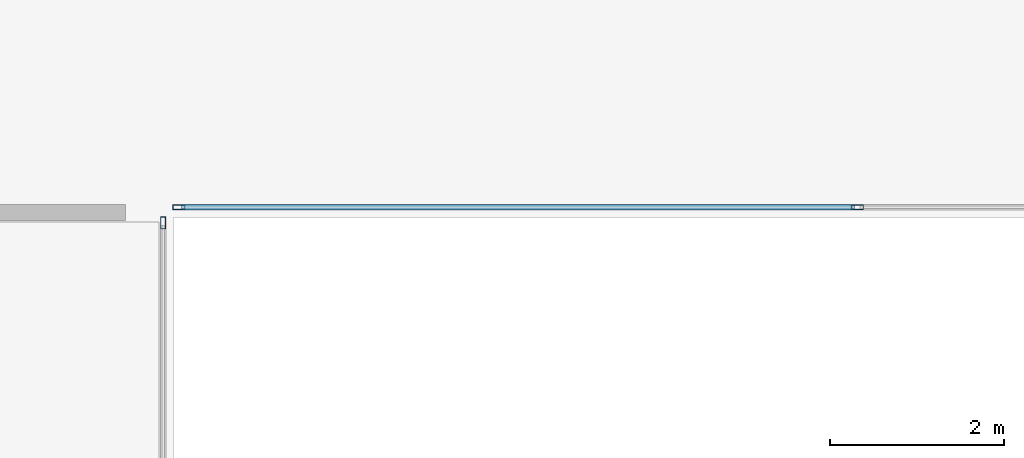
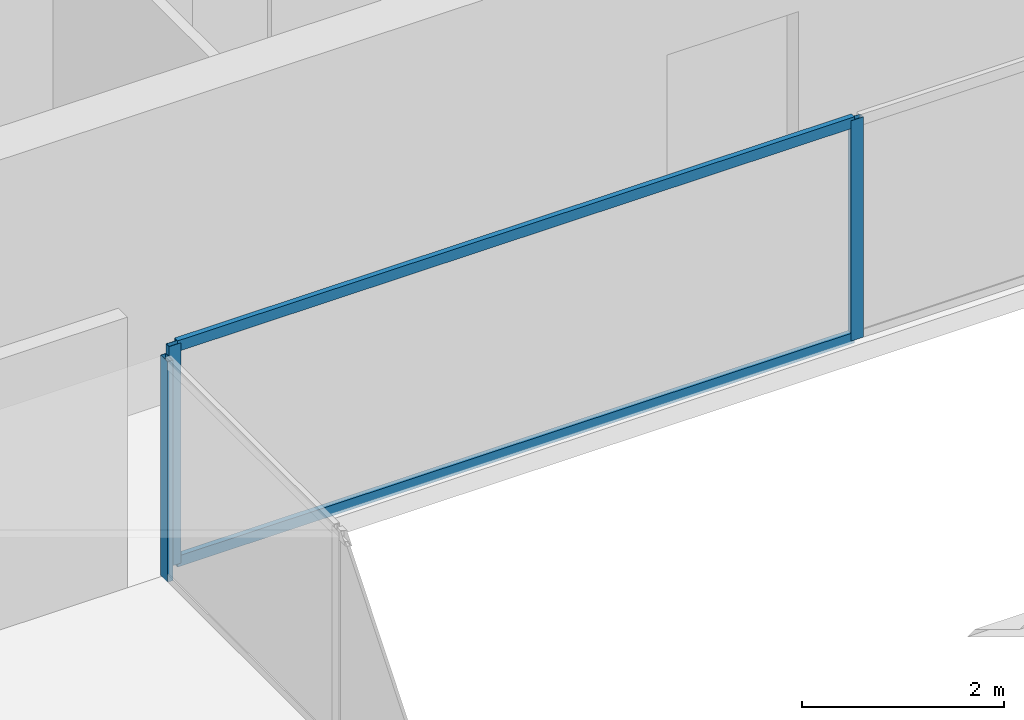
# One storey, part 12 of 32: 5 members, 2 elements without a shape of their own.
"""IFC4 building model written with IfcOpenShell, lengths in metres."""

from ifc_helpers import new_model, si_unit, direction, frame, origin, origin_2d, place, context, subcontext, project, spatial, hollow_rectangle, extrude, source, transform, mapped, material, layer, layer_set, material_profile, profile_set, type_object, element, aggregate, save


model = new_model("IFC4")

# Units and contexts
model_context = context("Model", 3, precision=1e-05, world=origin(), true_north=direction((0.0, 1.0)))
body_context = subcontext(model_context, "Body", "Model", "MODEL_VIEW")
ifc_project = project(units=[si_unit("LENGTHUNIT", "METRE"), si_unit("AREAUNIT", "SQUARE_METRE"), si_unit("VOLUMEUNIT", "CUBIC_METRE"), si_unit("PLANEANGLEUNIT", "RADIAN"), si_unit("MASSUNIT", "GRAM", prefix="KILO")], contexts=[model_context])

# Site, building, storey
site_placement = place(None, origin())
site = spatial("IfcSite", under=ifc_project, at=site_placement, CompositionType="ELEMENT")
building_placement = place(site_placement, origin())
building = spatial("IfcBuilding", under=site, at=building_placement, Name="Sumidabori Civic Tower", CompositionType="ELEMENT")
storey_placement = place(building_placement, frame((0.0, 0.0, 225.199951171875)))
storey = spatial("IfcBuildingStorey", under=building, at=storey_placement, Name="L58", CompositionType="ELEMENT", Elevation=225.199951171875)

# Curtain wall, members
ifc_material = material(Name="Anodised Bronze Aluminium AW-6063-T6", Category="aluminium")
ifc_layer = layer(ifc_material, 0.179931640625, Name="Anodised Bronze Aluminium AW-6063-T6")
ifc_layer_set = layer_set([ifc_layer], Name="Anodised Bronze Aluminium AW-6063-T6")
curtain_wall_type = type_object("IfcCurtainWallType", Name="CW-SYS-4", PredefinedType="NOTDEFINED", material=ifc_layer_set)
curtain_wall_1_placement = place(storey_placement, origin())
curtain_wall_1 = element("IfcCurtainWall", 1, at=curtain_wall_1_placement, inside=storey, type_object=curtain_wall_type, Name="Curtain Wall CW:L58:R05", PredefinedType="NOTDEFINED")
ifc_material_profile_1 = material_profile(ifc_material, hollow_rectangle(XDim=0.06005859375, YDim=0.1298828125, WallThickness=0.0048828125, at=origin_2d()), Name="ALU TRANSOM 130x60")
ifc_profile_set_1 = profile_set([ifc_material_profile_1], Name="Anodised Bronze Aluminium AW-6063-T6")
member_type_1 = type_object("IfcMemberType", Name="CW-TRN-130", PredefinedType="USERDEFINED", material=ifc_profile_set_1)
shared_shape_1 = source(origin(), body_context, "Body", "SweptSolid", [
    extrude(hollow_rectangle(XDim=0.06005859375, YDim=0.1298828125, WallThickness=0.0048828125, at=origin_2d()), origin(), (0.0, 0.0, 1.0), 7.72998046875),
])
member_1_placement = place(storey_placement, frame((-7.760009765625, 7.52001953125, 0.030029296875), z_axis=(1.0, 0.0, 0.0), x_axis=(0.0, 1.0, 0.0)))
member_1 = element("IfcMember", 2, at=member_1_placement, type_object=member_type_1, Name="CW-4 transom 1.1", ObjectType="TRANSOM", PredefinedType="USERDEFINED", context=body_context, shape_type="MappedRepresentation", body=[
    mapped(shared_shape_1, transform((0.0, 0.0, 0.0), x_axis=(1.0, 0.0, 0.0), y_axis=(0.0, 1.0, 0.0), z_axis=(0.0, 0.0, 1.0), scale=1.0)),
])
member_2_placement = place(storey_placement, frame((-7.760009765625, 7.52001953125, 2.630126953125), z_axis=(1.0, 0.0, 0.0), x_axis=(0.0, 1.0, 0.0)))
member_2 = element("IfcMember", 3, at=member_2_placement, type_object=member_type_1, Name="CW-4 transom 1.2", ObjectType="TRANSOM", PredefinedType="USERDEFINED", context=body_context, shape_type="MappedRepresentation", body=[
    mapped(shared_shape_1, transform((0.0, 0.0, 0.0), x_axis=(1.0, 0.0, 0.0), y_axis=(0.0, 1.0, 0.0), z_axis=(0.0, 0.0, 1.0), scale=1.0)),
])

# Curtain wall, member
curtain_wall_2_placement = place(storey_placement, origin())
curtain_wall_2 = element("IfcCurtainWall", 4, at=curtain_wall_2_placement, inside=storey, type_object=curtain_wall_type, Name="Curtain Wall CW:L58:R04", PredefinedType="NOTDEFINED")
ifc_material_profile_2 = material_profile(ifc_material, hollow_rectangle(XDim=0.06005859375, YDim=0.139892578125, WallThickness=0.0048828125, at=origin_2d()), Name="ALU MULLION 140x60")
ifc_profile_set_2 = profile_set([ifc_material_profile_2], Name="Anodised Bronze Aluminium AW-6063-T6")
member_type_2 = type_object("IfcMemberType", Name="CW-MUL-140", PredefinedType="MULLION", material=ifc_profile_set_2)
shared_shape_2 = source(origin(), body_context, "Body", "SweptSolid", [
    extrude(hollow_rectangle(XDim=0.06005859375, YDim=0.139892578125, WallThickness=0.0048828125, at=origin_2d()), origin(), (0.0, 0.0, 1.0), 2.66015625),
])
member_3_placement = place(storey_placement, frame((-7.969970703125, 7.340087890625, 0.0), z_axis=(0.0, 0.0, 1.0), x_axis=(-1.0, 0.0, 0.0)))
member_3 = element("IfcMember", 5, at=member_3_placement, type_object=member_type_2, Name="CW-4 mullion 3", PredefinedType="MULLION", context=body_context, shape_type="MappedRepresentation", body=[
    mapped(shared_shape_2, transform((0.0, 0.0, 0.0), x_axis=(1.0, 0.0, 0.0), y_axis=(0.0, 1.0, 0.0), z_axis=(0.0, 0.0, 1.0), scale=1.0)),
])
aggregate(curtain_wall_2, [member_3])

# Member
member_4_placement = place(storey_placement, frame((-7.7900390625, 7.52001953125, 0.0), z_axis=(0.0, 0.0, 1.0), x_axis=(0.0, 1.0, 0.0)))
member_4 = element("IfcMember", 6, at=member_4_placement, type_object=member_type_2, Name="CW-4 mullion 1", PredefinedType="MULLION", context=body_context, shape_type="MappedRepresentation", body=[
    mapped(shared_shape_2, transform((0.0, 0.0, 0.0), x_axis=(1.0, 0.0, 0.0), y_axis=(0.0, 1.0, 0.0), z_axis=(0.0, 0.0, 1.0), scale=1.0)),
])

member_5_placement = place(storey_placement, frame((0.0, 7.52001953125, 0.0), z_axis=(0.0, 0.0, 1.0), x_axis=(0.0, 1.0, 0.0)))
member_5 = element("IfcMember", 7, at=member_5_placement, type_object=member_type_2, Name="CW-4 mullion 2", PredefinedType="MULLION", context=body_context, shape_type="MappedRepresentation", body=[
    mapped(shared_shape_2, transform((0.0, 0.0, 0.0), x_axis=(1.0, 0.0, 0.0), y_axis=(0.0, 1.0, 0.0), z_axis=(0.0, 0.0, 1.0), scale=1.0)),
])

aggregate(curtain_wall_1, [member_4, member_5, member_1, member_2])

save(model, "model.ifc")
